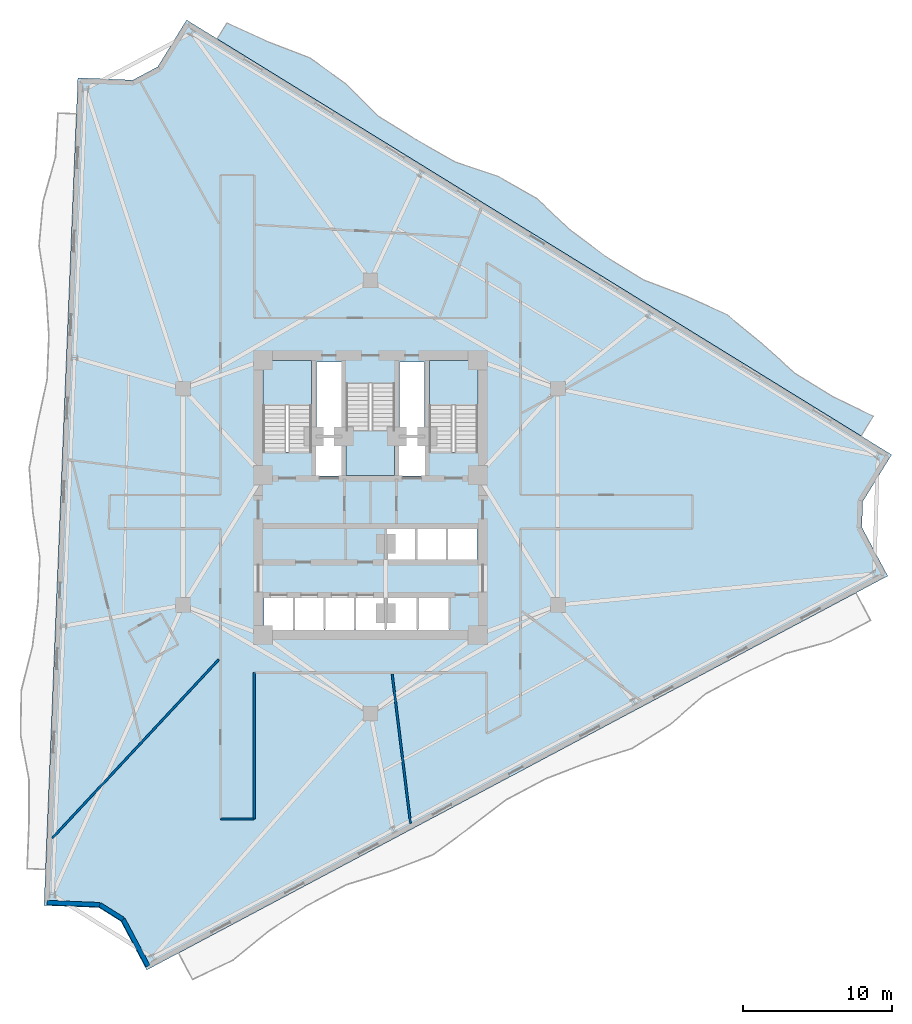
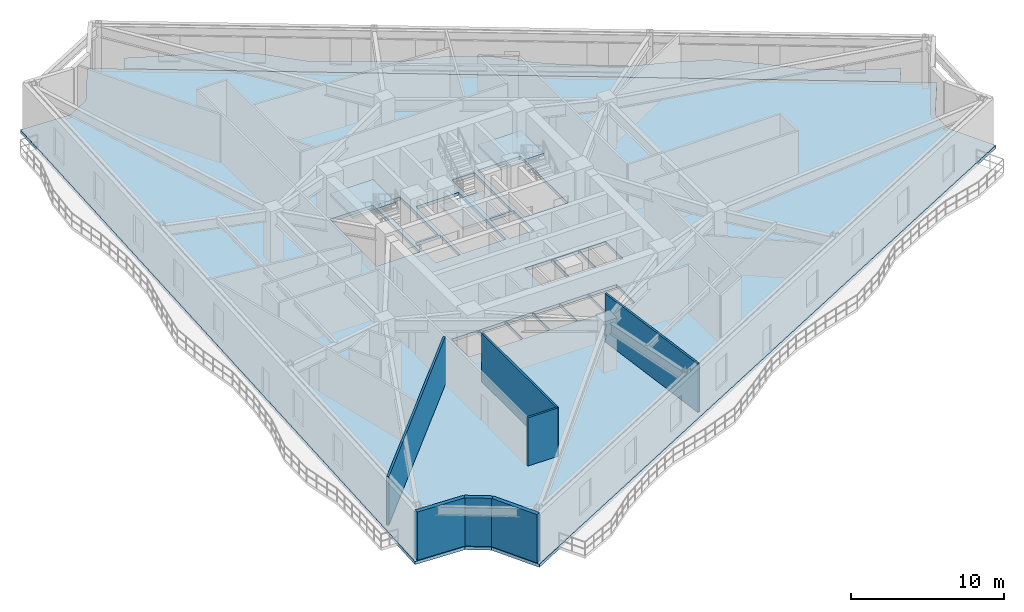
# One storey, part 4 of 12: 7 walls, 5 slabs, 3 elements without a shape of their own.
"""IFC4 building model written with IfcOpenShell, lengths in metres."""

from ifc_helpers import new_model, si_unit, direction, frame, frame_2d, origin, place, context, subcontext, project, spatial, polyline, rectangle, outline, extrude, material, layer, layer_set, type_object, element, aggregate, save


model = new_model("IFC4")

# Units and contexts
model_context = context("Model", 3, precision=1e-05, world=origin(), true_north=direction((0.0, 1.0)))
body_context = subcontext(model_context, "Body", "Model", "MODEL_VIEW")
ifc_project = project(units=[si_unit("LENGTHUNIT", "METRE"), si_unit("AREAUNIT", "SQUARE_METRE"), si_unit("VOLUMEUNIT", "CUBIC_METRE"), si_unit("PLANEANGLEUNIT", "RADIAN"), si_unit("MASSUNIT", "GRAM", prefix="KILO")], contexts=[model_context])

# Site, building, storey
site_placement = place(None, origin())
site = spatial("IfcSite", under=ifc_project, at=site_placement, CompositionType="ELEMENT")
building_placement = place(site_placement, origin())
building = spatial("IfcBuilding", under=site, at=building_placement, Name="Apsidion Concourse Tower", CompositionType="ELEMENT")
storey_placement = place(building_placement, frame((0.0, 0.0, 165.5)))
storey = spatial("IfcBuildingStorey", under=building, at=storey_placement, Name="L38", CompositionType="ELEMENT", Elevation=165.5)

# Slabs
ifc_material_1 = material(Name="Concrete C50/60", Category="concrete")
ifc_layer_1 = layer(ifc_material_1, 0.219970703125)
ifc_layer_set_1 = layer_set([ifc_layer_1], Name="Concrete C50/60")
slab_type_1 = type_object("IfcSlabType", Name="SL-BAL-220", PredefinedType="FLOOR", material=ifc_layer_set_1)
slab_1_placement = place(storey_placement, frame((0.0, 0.0, -0.219970703125)))
element("IfcSlab", 1, at=slab_1_placement, inside=storey, type_object=slab_type_1, Name="L38 Face 3 Rippling Balcony Slab", PredefinedType="FLOOR", context=body_context, shape_type="SweptSolid", body=[
    extrude(outline(polyline([(32.885498046875, 4.086669921875), (30.346435546875, 5.652587890625), (27.8076171875, 7.21826171875), (25.2685546875, 8.783935546875), (22.7294921875, 10.349609375), (20.1904296875, 11.91552734375), (17.651611328125, 13.481201171875), (15.112548828125, 15.047119140625), (12.573486328125, 16.61279296875), (10.034423828125, 18.178466796875), (7.495361328125, 19.744140625), (4.956298828125, 21.31005859375), (2.41748046875, 22.875732421875), (-0.12158203125, 24.44140625), (-2.66064453125, 26.007080078125), (-5.19970703125, 27.572998046875), (-7.738525390625, 29.138671875), (-10.277587890625, 30.70458984375), (-9.62158203125, 31.768310546875), (-6.888671875, 30.51708984375), (-4.059326171875, 29.422119140625), (-1.62939453125, 27.679443359375), (0.53466796875, 25.505615234375), (3.073486328125, 23.939697265625), (5.6630859375, 22.455810546875), (8.56591796875, 21.47998046875), (11.15478515625, 19.995361328125), (13.368896484375, 17.902587890625), (15.7685546875, 16.11083984375), (18.3076171875, 14.545166015625), (21.14501953125, 13.46337890625), (23.884033203125, 12.22216796875), (26.206298828125, 10.3046875), (28.463623046875, 8.2822265625), (31.002685546875, 6.716552734375), (33.69921875, 5.406005859375), (32.885498046875, 4.086669921875)])), origin(), (0.0, 0.0, 1.0), 0.219970703125),
])
ifc_layer_2 = layer(ifc_material_1, 0.25)
ifc_layer_set_2 = layer_set([ifc_layer_2], Name="Concrete C50/60")
slab_type_2 = type_object("IfcSlabType", Name="SL-FLR-250", PredefinedType="FLOOR", material=ifc_layer_set_2)
slab_2_placement = place(storey_placement, frame((0.0, 0.0, -0.25)))
element("IfcSlab", 2, at=slab_2_placement, inside=storey, type_object=slab_type_2, Name="L38 Structural Floor Slab", PredefinedType="FLOOR", context=body_context, shape_type="SweptSolid", body=[
    extrude(outline(polyline([(-12.3203125, 31.964111328125), (-14.256103515625, 28.824951171875), (-15.925048828125, 27.937744140625), (-19.610107421875, 28.088134765625), (-21.87548828125, -27.376220703125), (-18.1904296875, -27.526611328125), (-16.724609375, -28.448486328125), (-14.9931640625, -31.705078125), (34.668701171875, -5.29931640625), (32.937255859375, -2.04296875), (32.992431640625, -0.31201171875), (34.92822265625, 2.826904296875), (-12.3203125, 31.964111328125)]), holes=[polyline([(-3.949951171875, 3.0), (-3.949951171875, 9.14990234375), (-7.199951171875, 9.14990234375), (-7.199951171875, 3.0), (-3.949951171875, 3.0)]), polyline([(7.199951171875, 3.0), (7.199951171875, 9.14990234375), (3.949951171875, 9.14990234375), (3.949951171875, 3.0), (7.199951171875, 3.0)]), polyline([(-1.625, 7.60009765625), (-1.625, 1.449951171875), (1.625, 1.449951171875), (1.625, 7.60009765625), (-1.625, 7.60009765625)]), polyline([(1.054931640625, -4.300048828125), (3.044921875, -4.300048828125), (3.044921875, -2.050048828125), (1.054931640625, -2.050048828125), (1.054931640625, -4.300048828125)]), polyline([(3.10498046875, -4.300048828125), (5.094970703125, -4.300048828125), (5.094970703125, -2.050048828125), (3.10498046875, -2.050048828125), (3.10498046875, -4.300048828125)]), polyline([(5.155029296875, -4.300048828125), (7.14501953125, -4.300048828125), (7.14501953125, -2.050048828125), (5.155029296875, -2.050048828125), (5.155029296875, -4.300048828125)]), polyline([(-7.14501953125, -8.949951171875), (-5.155029296875, -8.949951171875), (-5.155029296875, -6.64990234375), (-7.14501953125, -6.64990234375), (-7.14501953125, -8.949951171875)]), polyline([(-5.094970703125, -8.949951171875), (-3.10498046875, -8.949951171875), (-3.10498046875, -6.64990234375), (-5.094970703125, -6.64990234375), (-5.094970703125, -8.949951171875)]), polyline([(-3.044921875, -8.949951171875), (-1.054931640625, -8.949951171875), (-1.054931640625, -6.64990234375), (-3.044921875, -6.64990234375), (-3.044921875, -8.949951171875)]), polyline([(-0.9951171875, -8.949951171875), (0.9951171875, -8.949951171875), (0.9951171875, -6.64990234375), (-0.9951171875, -6.64990234375), (-0.9951171875, -8.949951171875)]), polyline([(1.044921875, -9.0), (3.155029296875, -9.0), (3.155029296875, -6.64990234375), (1.044921875, -6.64990234375), (1.044921875, -9.0)]), polyline([(3.195068359375, -9.0), (5.304931640625, -9.0), (5.304931640625, -6.64990234375), (3.195068359375, -6.64990234375), (3.195068359375, -9.0)]), polyline([(-3.7099609375, 1.39990234375), (-1.85009765625, 1.39990234375), (-1.85009765625, 4.0), (-3.7099609375, 4.0), (-3.7099609375, 1.39990234375)]), polyline([(1.85009765625, 1.39990234375), (3.7099609375, 1.39990234375), (3.7099609375, 4.0), (1.85009765625, 4.0), (1.85009765625, 1.39990234375)]), polyline([(-3.6201171875, 4.14990234375), (-1.93994140625, 4.14990234375), (-1.93994140625, 9.050048828125), (-3.6201171875, 9.050048828125), (-3.6201171875, 4.14990234375)]), polyline([(1.93994140625, 4.14990234375), (3.6201171875, 4.14990234375), (3.6201171875, 9.050048828125), (1.93994140625, 9.050048828125), (1.93994140625, 4.14990234375)])]), origin(), (0.0, 0.0, 1.0), 0.25),
])

# Stair, slab
ifc_material_2 = material(Name="Precast concrete C40/50", Category="concrete")
stair_type = type_object("IfcStairType", Name="ST-DL-1550", PredefinedType="HALF_TURN_STAIR", material=ifc_material_2)
stair_1_placement = place(storey_placement, origin())
stair_1 = element("IfcStair", 3, at=stair_1_placement, inside=storey, type_object=stair_type, Name="L38 Protected Core Exit Stair ST1", PredefinedType="HALF_TURN_STAIR")
ifc_layer_3 = layer(ifc_material_1, 0.199951171875)
ifc_layer_set_3 = layer_set([ifc_layer_3], Name="Concrete C50/60")
slab_type_3 = type_object("IfcSlabType", Name="SL-ST-LAND-200", PredefinedType="LANDING", material=ifc_layer_set_3)
slab_3_placement = place(storey_placement, frame((0.0, 0.0, 1.85009765625)))
slab_3 = element("IfcSlab", 4, at=slab_3_placement, type_object=slab_type_3, Name="ST1 landing 1", PredefinedType="LANDING", context=body_context, shape_type="SweptSolid", body=[
    extrude(outline(polyline([(-3.949951171875, 6.135009765625), (-3.949951171875, 9.14990234375), (-7.199951171875, 9.14990234375), (-7.199951171875, 6.135009765625), (-3.949951171875, 6.135009765625)])), origin(), (0.0, 0.0, 1.0), 0.199951171875),
])
aggregate(stair_1, [slab_3])

stair_2_placement = place(storey_placement, origin())
stair_2 = element("IfcStair", 5, at=stair_2_placement, inside=storey, type_object=stair_type, Name="L38 Protected Core Exit Stair ST2", PredefinedType="HALF_TURN_STAIR")
slab_4_placement = place(storey_placement, frame((0.0, 0.0, 1.85009765625)))
slab_4 = element("IfcSlab", 6, at=slab_4_placement, type_object=slab_type_3, Name="ST2 landing 1", PredefinedType="LANDING", context=body_context, shape_type="SweptSolid", body=[
    extrude(outline(polyline([(7.199951171875, 6.135009765625), (7.199951171875, 9.14990234375), (3.949951171875, 9.14990234375), (3.949951171875, 6.135009765625), (7.199951171875, 6.135009765625)])), origin(), (0.0, 0.0, 1.0), 0.199951171875),
])
aggregate(stair_2, [slab_4])

stair_3_placement = place(storey_placement, origin())
stair_3 = element("IfcStair", 7, at=stair_3_placement, inside=storey, type_object=stair_type, Name="L38 Protected Core Exit Stair ST3", PredefinedType="HALF_TURN_STAIR")
slab_5_placement = place(storey_placement, frame((0.0, 0.0, 1.85009765625)))
slab_5 = element("IfcSlab", 8, at=slab_5_placement, type_object=slab_type_3, Name="ST3 landing 1", PredefinedType="LANDING", context=body_context, shape_type="SweptSolid", body=[
    extrude(outline(polyline([(-1.625, 4.465087890625), (-1.625, 1.449951171875), (1.625, 1.449951171875), (1.625, 4.465087890625), (-1.625, 4.465087890625)])), origin(), (0.0, 0.0, 1.0), 0.199951171875),
])
aggregate(stair_3, [slab_5])

# Walls
ifc_layer_4 = layer(ifc_material_2, 0.300048828125)
ifc_layer_set_4 = layer_set([ifc_layer_4], Name="Precast concrete C40/50")
wall_type_1 = type_object("IfcWallType", Name="WL-EXT-300", PredefinedType="STANDARD", material=ifc_layer_set_4)
wall_1_placement = place(storey_placement, frame((-14.910400390625, -31.4345703125, 0.0), z_axis=(0.0, 0.0, 1.0), x_axis=(-0.469464339615, 0.882951433449, 0.0)))
element("IfcWall", 9, at=wall_1_placement, inside=storey, type_object=wall_type_1, Name="L38 Precast Stone Facade Wall 06", PredefinedType="STANDARD", context=body_context, shape_type="SweptSolid", body=[
    extrude(rectangle(XDim=3.54150390625, YDim=0.300048828125, at=frame_2d((1.770751953125, 0.0))), origin(), (0.0, 0.0, 1.0), 3.85009765625),
])
wall_2_placement = place(storey_placement, frame((-16.572998046875, -28.3076171875, 0.0), z_axis=(0.0, 0.0, 1.0), x_axis=(-0.846450132201, 0.53246800251, 0.0)))
element("IfcWall", 10, at=wall_2_placement, inside=storey, type_object=wall_type_1, Name="L38 Precast Stone Facade Wall 07", PredefinedType="STANDARD", context=body_context, shape_type="SweptSolid", body=[
    extrude(rectangle(XDim=1.838134765625, YDim=0.300048828125, at=frame_2d((0.9189453125, 0.0))), origin(), (0.0, 0.0, 1.0), 3.85009765625),
])
wall_3_placement = place(storey_placement, frame((-18.12890625, -27.328857421875, 0.0), z_axis=(0.0, 0.0, 1.0), x_axis=(-0.999166906151, 0.040810460083, 0.0)))
element("IfcWall", 11, at=wall_3_placement, inside=storey, type_object=wall_type_1, Name="L38 Precast Stone Facade Wall 08", PredefinedType="STANDARD", context=body_context, shape_type="SweptSolid", body=[
    extrude(rectangle(XDim=3.54150390625, YDim=0.300048828125, at=frame_2d((1.770751953125, 0.0))), origin(), (0.0, 0.0, 1.0), 3.85009765625),
])
ifc_material_3 = material(Name="Gypsum plasterboard partition")
ifc_layer_5 = layer(ifc_material_3, 0.14990234375)
ifc_layer_set_5 = layer_set([ifc_layer_5], Name="Gypsum plasterboard partition")
wall_type_2 = type_object("IfcWallType", Name="WL-INT-PAR-150", PredefinedType="PARTITIONING", material=ifc_layer_set_5)
wall_4_placement = place(storey_placement, frame((-7.7900390625, -11.77490234375, 0.0), z_axis=(0.0, 0.0, 1.0), x_axis=(0.0, -1.0, 0.0)))
element("IfcWall", 12, at=wall_4_placement, inside=storey, type_object=wall_type_2, Name="L38 Interior Partition WL-L38-CORR-04", PredefinedType="PARTITIONING", context=body_context, shape_type="SweptSolid", body=[
    extrude(rectangle(XDim=9.80517578125, YDim=0.14990234375, at=frame_2d((4.902587890625, 0.0))), origin(), (0.0, 0.0, 1.0), 3.85009765625),
])
wall_5_placement = place(storey_placement, frame((-7.7900390625, -21.580078125, 0.0), z_axis=(0.0, 0.0, 1.0), x_axis=(-1.0, 0.0, 0.0)))
element("IfcWall", 13, at=wall_5_placement, inside=storey, type_object=wall_type_2, Name="L38 Interior Partition WL-L38-CORR-05", PredefinedType="PARTITIONING", context=body_context, shape_type="SweptSolid", body=[
    extrude(rectangle(XDim=2.260009765625, YDim=0.14990234375, at=frame_2d((1.1298828125, 0.0))), origin(), (0.0, 0.0, 1.0), 3.85009765625),
])
wall_6_placement = place(storey_placement, frame((-10.155029296875, -10.889892578125, 0.0), z_axis=(0.0, 0.0, 1.0), x_axis=(-0.681993176045, -0.731358535759, 0.0)))
element("IfcWall", 14, at=wall_6_placement, inside=storey, type_object=wall_type_2, Name="L38 Interior Partition WL-L38-RAD-05-1", PredefinedType="PARTITIONING", context=body_context, shape_type="SweptSolid", body=[
    extrude(rectangle(XDim=16.3798828125, YDim=0.14990234375, at=frame_2d((8.18994140625, 0.0))), origin(), (0.0, 0.0, 1.0), 3.85009765625),
])
wall_7_placement = place(storey_placement, frame((1.458740234375, -11.8798828125, 0.0), z_axis=(0.0, 0.0, 1.0), x_axis=(0.121856576786, -0.992547719102, 0.0)))
element("IfcWall", 15, at=wall_7_placement, inside=storey, type_object=wall_type_2, Name="L38 Interior Partition WL-L38-RAD-06-1", PredefinedType="PARTITIONING", context=body_context, shape_type="SweptSolid", body=[
    extrude(rectangle(XDim=10.085693359375, YDim=0.14990234375, at=frame_2d((5.04296875, 0.0))), origin(), (0.0, 0.0, 1.0), 3.85009765625),
])

save(model, "model.ifc")
